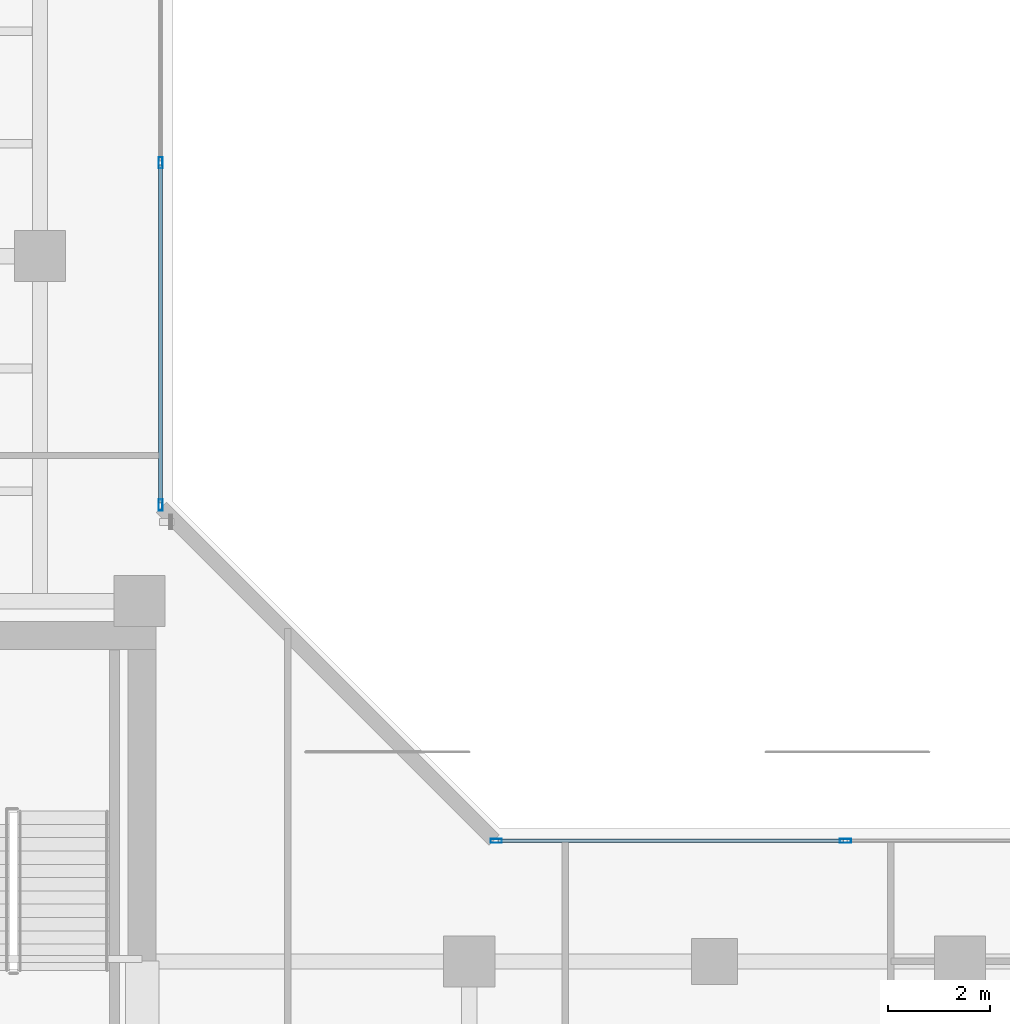
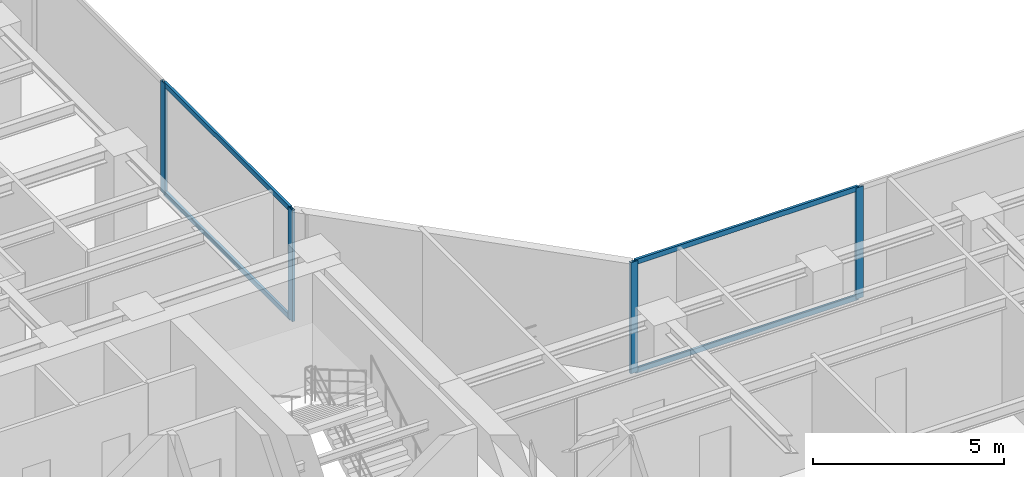
# One storey, part 10 of 25: 8 members, 2 elements without a shape of their own.
"""IFC4 building model written with IfcOpenShell, lengths in metres."""

from ifc_helpers import new_model, si_unit, direction, frame, origin, origin_with_axes, origin_2d, place, context, subcontext, project, spatial, hollow_rectangle, extrude, source, transform, mapped, material, layer, layer_set, material_profile, profile_set, type_object, element, aggregate, save


model = new_model("IFC4")

# Units and contexts
model_context = context("Model", 3, precision=1e-05, world=origin(), true_north=direction((0.0, 1.0)))
body_context = subcontext(model_context, "Body", "Model", "MODEL_VIEW")
ifc_project = project(units=[si_unit("LENGTHUNIT", "METRE"), si_unit("AREAUNIT", "SQUARE_METRE"), si_unit("VOLUMEUNIT", "CUBIC_METRE"), si_unit("PLANEANGLEUNIT", "RADIAN"), si_unit("MASSUNIT", "GRAM", prefix="KILO")], contexts=[model_context])

# Site, building, storey
site_placement = place(None, origin())
site = spatial("IfcSite", under=ifc_project, at=site_placement, CompositionType="ELEMENT")
building_placement = place(site_placement, origin())
building = spatial("IfcBuilding", under=site, at=building_placement, Name="Kolvaren Waterfront Exchange", CompositionType="ELEMENT")
storey_placement = place(building_placement, frame((0.0, 0.0, 223.5)))
storey = spatial("IfcBuildingStorey", under=building, at=storey_placement, Name="L57", CompositionType="ELEMENT", Elevation=223.5)

# Curtain wall, members
ifc_material_1 = material(Name="Anodised bronze aluminium 6063-T6", Category="aluminium")
ifc_layer = layer(ifc_material_1, 0.219970703125, Name="Anodised bronze aluminium 6063-T6")
ifc_layer_set = layer_set([ifc_layer], Name="Anodised bronze aluminium 6063-T6")
curtain_wall_type = type_object("IfcCurtainWallType", Name="ARC-CW-SYS4", PredefinedType="USERDEFINED", material=ifc_layer_set)
curtain_wall_1_placement = place(storey_placement, origin())
curtain_wall_1 = element("IfcCurtainWall", 1, at=curtain_wall_1_placement, inside=storey, type_object=curtain_wall_type, Name="L57 stick curtain wall CW4 (CW-L57-NE)", ObjectType="STICK CURTAIN WALL", PredefinedType="USERDEFINED")
ifc_material_2 = material(Name="Anodised aluminium 6063-T6", Category="aluminium")
ifc_material_profile_1 = material_profile(ifc_material_2, hollow_rectangle(XDim=0.080078125, YDim=0.219970703125, WallThickness=0.0048828125, at=origin_2d()), Name="ALU-MUL-220x80x5")
ifc_profile_set_1 = profile_set([ifc_material_profile_1], Name="Anodised aluminium 6063-T6")
member_type_1 = type_object("IfcMemberType", Name="ARC-CWM-220", PredefinedType="MULLION", material=ifc_profile_set_1)
shared_shape_1 = source(origin_with_axes(), body_context, "Body", "SweptSolid", [
    extrude(hollow_rectangle(XDim=0.080078125, YDim=0.219970703125, WallThickness=0.0048828125, at=origin_2d()), origin(), (0.0, 0.0, 1.0), 3.56005859375),
])
member_1_placement = place(storey_placement, frame((21.159912109375, 26.330078125, 0.0), z_axis=(0.0, 0.0, 1.0), x_axis=(-1.0, 0.0, 0.0)))
member_1 = element("IfcMember", 2, at=member_1_placement, type_object=member_type_1, Name="CW4 mullion 1", PredefinedType="MULLION", context=body_context, shape_type="MappedRepresentation", body=[
    mapped(shared_shape_1, transform((0.0, 0.0, 0.0), x_axis=(1.0, 0.0, 0.0), y_axis=(0.0, 1.0, 0.0), z_axis=(0.0, 0.0, 1.0), scale=1.0)),
])
member_2_placement = place(storey_placement, frame((21.159912109375, 33.026611328125, 0.0), z_axis=(0.0, 0.0, 1.0), x_axis=(-1.0, 0.0, 0.0)))
member_2 = element("IfcMember", 3, at=member_2_placement, type_object=member_type_1, Name="CW4 mullion 2", PredefinedType="MULLION", context=body_context, shape_type="MappedRepresentation", body=[
    mapped(shared_shape_1, transform((0.0, 0.0, 0.0), x_axis=(1.0, 0.0, 0.0), y_axis=(0.0, 1.0, 0.0), z_axis=(0.0, 0.0, 1.0), scale=1.0)),
])

curtain_wall_2_placement = place(storey_placement, origin())
curtain_wall_2 = element("IfcCurtainWall", 4, at=curtain_wall_2_placement, inside=storey, type_object=curtain_wall_type, Name="L57 stick curtain wall CW4 (CW-L57-EN)", ObjectType="STICK CURTAIN WALL", PredefinedType="USERDEFINED")
member_3_placement = place(storey_placement, frame((27.72998046875, 19.760009765625, 0.0), z_axis=(0.0, 0.0, 1.0), x_axis=(0.0, 1.0, 0.0)))
member_3 = element("IfcMember", 5, at=member_3_placement, type_object=member_type_1, Name="CW4 mullion 1", PredefinedType="MULLION", context=body_context, shape_type="MappedRepresentation", body=[
    mapped(shared_shape_1, transform((0.0, 0.0, 0.0), x_axis=(1.0, 0.0, 0.0), y_axis=(0.0, 1.0, 0.0), z_axis=(0.0, 0.0, 1.0), scale=1.0)),
])
member_4_placement = place(storey_placement, frame((34.56005859375, 19.760009765625, 0.0), z_axis=(0.0, 0.0, 1.0), x_axis=(0.0, 1.0, 0.0)))
member_4 = element("IfcMember", 6, at=member_4_placement, type_object=member_type_1, Name="CW4 mullion 2", PredefinedType="MULLION", context=body_context, shape_type="MappedRepresentation", body=[
    mapped(shared_shape_1, transform((0.0, 0.0, 0.0), x_axis=(1.0, 0.0, 0.0), y_axis=(0.0, 1.0, 0.0), z_axis=(0.0, 0.0, 1.0), scale=1.0)),
])

# Member
ifc_material_profile_2 = material_profile(ifc_material_2, hollow_rectangle(XDim=0.074951171875, YDim=0.159912109375, WallThickness=0.00439453125, at=origin_2d()), Name="ALU-TRN-160x75x4.5")
ifc_profile_set_2 = profile_set([ifc_material_profile_2], Name="Anodised aluminium 6063-T6")
member_type_2 = type_object("IfcMemberType", Name="ARC-CWT-160", PredefinedType="USERDEFINED", material=ifc_profile_set_2)
shared_shape_2 = source(origin_with_axes(), body_context, "Body", "SweptSolid", [
    extrude(hollow_rectangle(XDim=0.074951171875, YDim=0.159912109375, WallThickness=0.00439453125, at=origin_2d()), origin(), (0.0, 0.0, 1.0), 6.616455078125),
])
member_5_placement = place(storey_placement, frame((21.159912109375, 26.3701171875, 0.03759765625), z_axis=(0.0, 1.0, 0.0), x_axis=(-1.0, 0.0, 0.0)))
member_5 = element("IfcMember", 7, at=member_5_placement, type_object=member_type_2, Name="CW4 transom 1.1", ObjectType="TRANSOM", PredefinedType="USERDEFINED", context=body_context, shape_type="MappedRepresentation", body=[
    mapped(shared_shape_2, transform((0.0, 0.0, 0.0), x_axis=(1.0, 0.0, 0.0), y_axis=(0.0, 1.0, 0.0), z_axis=(0.0, 0.0, 1.0), scale=1.0)),
])

member_6_placement = place(storey_placement, frame((21.159912109375, 26.3701171875, 3.5224609375), z_axis=(0.0, 1.0, 0.0), x_axis=(-1.0, 0.0, 0.0)))
member_6 = element("IfcMember", 8, at=member_6_placement, type_object=member_type_2, Name="CW4 transom 1.2", ObjectType="TRANSOM", PredefinedType="USERDEFINED", context=body_context, shape_type="MappedRepresentation", body=[
    mapped(shared_shape_2, transform((0.0, 0.0, 0.0), x_axis=(1.0, 0.0, 0.0), y_axis=(0.0, 1.0, 0.0), z_axis=(0.0, 0.0, 1.0), scale=1.0)),
])

aggregate(curtain_wall_1, [member_1, member_2, member_5, member_6])

shared_shape_3 = source(origin_with_axes(), body_context, "Body", "SweptSolid", [
    extrude(hollow_rectangle(XDim=0.074951171875, YDim=0.159912109375, WallThickness=0.00439453125, at=origin_2d()), origin(), (0.0, 0.0, 1.0), 6.75),
])
member_7_placement = place(storey_placement, frame((27.77001953125, 19.760009765625, 0.03759765625), z_axis=(1.0, 0.0, 0.0), x_axis=(0.0, 1.0, 0.0)))
member_7 = element("IfcMember", 9, at=member_7_placement, type_object=member_type_2, Name="CW4 transom 1.1", ObjectType="TRANSOM", PredefinedType="USERDEFINED", context=body_context, shape_type="MappedRepresentation", body=[
    mapped(shared_shape_3, transform((0.0, 0.0, 0.0), x_axis=(1.0, 0.0, 0.0), y_axis=(0.0, 1.0, 0.0), z_axis=(0.0, 0.0, 1.0), scale=1.0)),
])

member_8_placement = place(storey_placement, frame((27.77001953125, 19.760009765625, 3.5224609375), z_axis=(1.0, 0.0, 0.0), x_axis=(0.0, 1.0, 0.0)))
member_8 = element("IfcMember", 10, at=member_8_placement, type_object=member_type_2, Name="CW4 transom 1.2", ObjectType="TRANSOM", PredefinedType="USERDEFINED", context=body_context, shape_type="MappedRepresentation", body=[
    mapped(shared_shape_3, transform((0.0, 0.0, 0.0), x_axis=(1.0, 0.0, 0.0), y_axis=(0.0, 1.0, 0.0), z_axis=(0.0, 0.0, 1.0), scale=1.0)),
])

aggregate(curtain_wall_2, [member_3, member_4, member_7, member_8])

save(model, "model.ifc")
